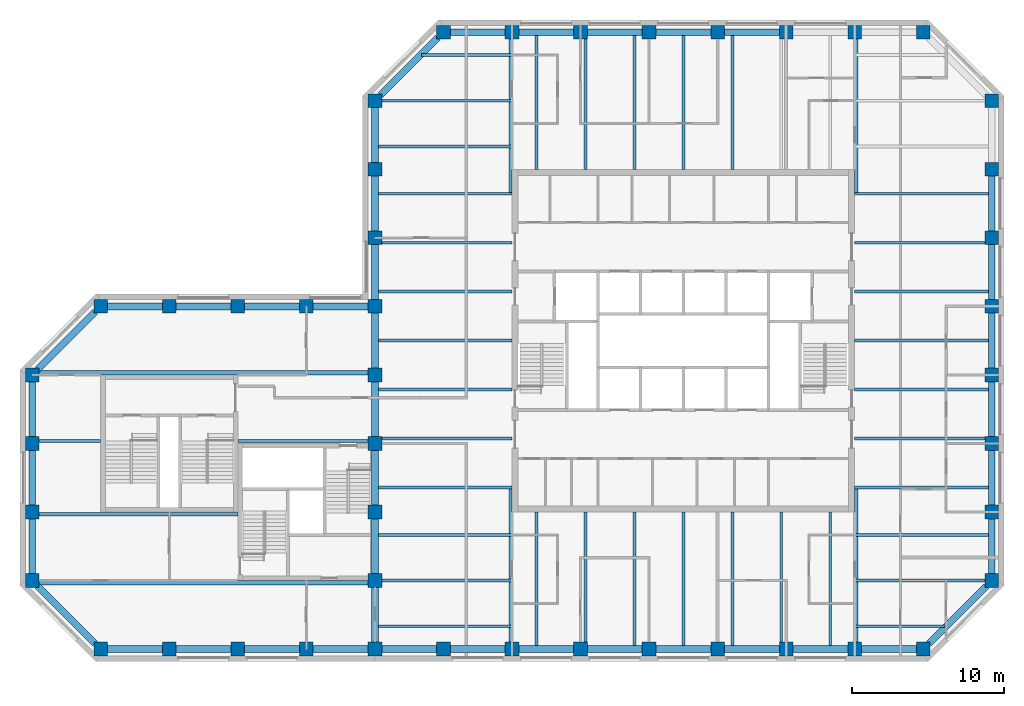
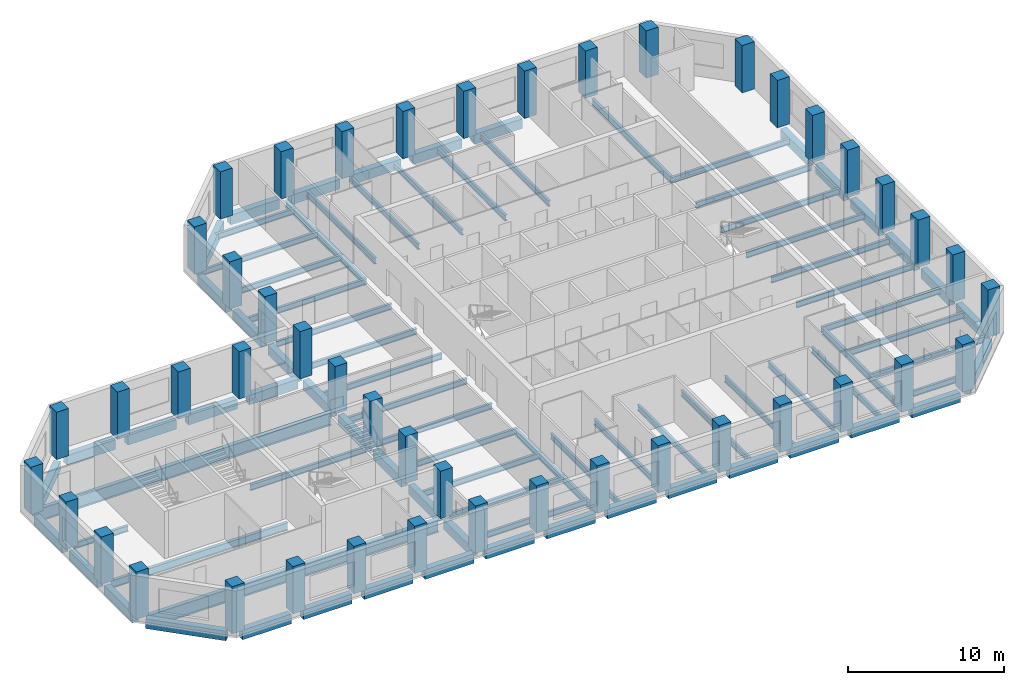
# One storey, part 1 of 9: 86 beams, 45 columns.
"""IFC4 building model written with IfcOpenShell, lengths in metres."""

from ifc_helpers import new_model, si_unit, direction, frame, origin, origin_2d, place, context, subcontext, project, spatial, rectangle, i_section, extrude, material, material_profile, profile_set, type_object, element, save


model = new_model("IFC4")

# Units and contexts
model_context = context("Model", 3, precision=1e-05, world=origin(), true_north=direction((0.0, 1.0)))
body_context = subcontext(model_context, "Body", "Model", "MODEL_VIEW")
ifc_project = project(units=[si_unit("LENGTHUNIT", "METRE"), si_unit("AREAUNIT", "SQUARE_METRE"), si_unit("VOLUMEUNIT", "CUBIC_METRE"), si_unit("PLANEANGLEUNIT", "RADIAN"), si_unit("MASSUNIT", "GRAM", prefix="KILO")], contexts=[model_context])

# Site, building, storey
site_placement = place(None, origin())
site = spatial("IfcSite", under=ifc_project, at=site_placement, CompositionType="ELEMENT")
building_placement = place(site_placement, origin())
building = spatial("IfcBuilding", under=site, at=building_placement, Name="Quoin Convention Tower", CompositionType="ELEMENT")
storey_placement = place(building_placement, frame((0.0, 0.0, 166.199951171875)))
storey = spatial("IfcBuildingStorey", under=building, at=storey_placement, Name="L43", CompositionType="ELEMENT", Elevation=166.199951171875)

# Columns
ifc_material_1 = material(Name="Concrete C50", Category="concrete")
ifc_material_profile_1 = material_profile(ifc_material_1, rectangle(XDim=0.89990234375, YDim=0.89990234375, at=origin_2d()), Name="RC 900x900")
ifc_profile_set_1 = profile_set([ifc_material_profile_1], Name="Concrete C50")
column_type = type_object("IfcColumnType", Name="RC 900x900 C50", PredefinedType="COLUMN", material=ifc_profile_set_1)
for number, where, z_axis, x_axis, name in (
    (1, (18.0, 40.5, 0.0), (0.0, 0.0, 1.0), (1.0, 0.0, 0.0), "col-L43-18000_40500"),
    (2, (22.5, 40.5, 0.0), (0.0, 0.0, 1.0), (1.0, 0.0, 0.0), "col-L43-22500_40500"),
    (3, (27.0, 40.5, 0.0), (0.0, 0.0, 1.0), (1.0, 0.0, 0.0), "col-L43-27000_40500"),
    (4, (31.5, 40.5, 0.0), (0.0, 0.0, 1.0), (1.0, 0.0, 0.0), "col-L43-31500_40500"),
    (5, (36.0, 40.5, 0.0), (0.0, 0.0, 1.0), (1.0, 0.0, 0.0), "col-L43-36000_40500"),
    (6, (40.5, 40.5, 0.0), (0.0, 0.0, 1.0), (1.0, 0.0, 0.0), "col-L43-40500_40500"),
    (7, (45.0, 40.5, 0.0), (0.0, 0.0, 1.0), (1.0, 0.0, 0.0), "col-L43-45000_40500"),
    (8, (49.5, 40.5, 0.0), (0.0, 0.0, 1.0), (1.0, 0.0, 0.0), "col-L43-49500_40500"),
    (9, (54.0, 40.5, 0.0), (0.0, 0.0, 1.0), (1.0, 0.0, 0.0), "col-L43-54000_40500"),
    (10, (58.5, 40.5, 0.0), (0.0, 0.0, 1.0), (1.0, 0.0, 0.0), "col-L43-58500_40500"),
    (11, (63.0, 40.5, 0.0), (0.0, 0.0, 1.0), (1.0, 0.0, 0.0), "col-L43-63000_40500"),
    (12, (67.5, 40.5, 0.0), (0.0, 0.0, 1.0), (1.0, 0.0, 0.0), "col-L43-67500_40500"),
    (13, (72.0, 40.5, 0.0), (0.0, 0.0, 1.0), (1.0, 0.0, 0.0), "col-L43-72000_40500"),
    (14, (13.5, 45.0, 0.0), (0.0, 0.0, 1.0), (1.0, 0.0, 0.0), "col-L43-13500_45000"),
    (15, (36.0, 45.0, 0.0), (0.0, 0.0, 1.0), (1.0, 0.0, 0.0), "web-L43-36000_45000"),
    (16, (76.5, 45.0, 0.0), (0.0, 0.0, 1.0), (1.0, 0.0, 0.0), "col-L43-76500_45000"),
    (17, (13.5, 49.5, 0.0), (0.0, 0.0, 1.0), (1.0, 0.0, 0.0), "col-L43-13500_49500"),
    (18, (36.0, 49.5, 0.0), (0.0, 0.0, 1.0), (1.0, 0.0, 0.0), "web-L43-36000_49500"),
    (19, (76.5, 49.5, 0.0), (0.0, 0.0, 1.0), (1.0, 0.0, 0.0), "col-L43-76500_49500"),
    (20, (13.5, 54.0, 0.0), (0.0, 0.0, 1.0), (1.0, 0.0, 0.0), "col-L43-13500_54000"),
    (21, (36.0, 54.0, 0.0), (0.0, 0.0, 1.0), (1.0, 0.0, 0.0), "web-L43-36000_54000"),
    (22, (76.5, 54.0, 0.0), (0.0, 0.0, 1.0), (1.0, 0.0, 0.0), "col-L43-76500_54000"),
    (23, (13.5, 58.5, 0.0), (0.0, 0.0, 1.0), (1.0, 0.0, 0.0), "col-L43-13500_58500"),
    (24, (36.0, 58.5, 0.0), (0.0, 0.0, 1.0), (1.0, 0.0, 0.0), "web-L43-36000_58500"),
    (25, (76.5, 58.5, 0.0), (0.0, 0.0, 1.0), (1.0, 0.0, 0.0), "col-L43-76500_58500"),
    (26, (18.0, 63.0, 0.0), (0.0, 0.0, 1.0), (1.0, 0.0, 0.0), "col-L43-18000_63000"),
    (27, (22.5, 63.0, 0.0), (0.0, 0.0, 1.0), (1.0, 0.0, 0.0), "col-L43-22500_63000"),
    (28, (27.0, 63.0, 0.0), (0.0, 0.0, 1.0), (1.0, 0.0, 0.0), "col-L43-27000_63000"),
    (29, (31.5, 63.0, 0.0), (0.0, 0.0, 1.0), (1.0, 0.0, 0.0), "col-L43-31500_63000"),
    (30, (36.0, 63.0, 0.0), (0.0, 0.0, 1.0), (1.0, 0.0, 0.0), "col-L43-36000_63000"),
    (31, (76.5, 63.0, 0.0), (0.0, 0.0, 1.0), (1.0, 0.0, 0.0), "col-L43-76500_63000"),
    (32, (36.0, 67.5, 0.0), (0.0, 0.0, 1.0), (1.0, 0.0, 0.0), "col-L43-36000_67500"),
    (33, (76.5, 67.5, 0.0), (0.0, 0.0, 1.0), (1.0, 0.0, 0.0), "col-L43-76500_67500"),
    (34, (36.0, 72.0, 0.0), (0.0, 0.0, 1.0), (1.0, 0.0, 0.0), "col-L43-36000_72000"),
    (35, (76.5, 72.0, 0.0), (0.0, 0.0, 1.0), (1.0, 0.0, 0.0), "col-L43-76500_72000"),
    (36, (36.0, 76.5, 0.0), (0.0, 0.0, 1.0), (1.0, 0.0, 0.0), "col-L43-36000_76500"),
    (37, (76.5, 76.5, 0.0), (0.0, 0.0, 1.0), (1.0, 0.0, 0.0), "col-L43-76500_76500"),
    (38, (40.5, 81.0, 0.0), (0.0, 0.0, 1.0), (1.0, 0.0, 0.0), "col-L43-40500_81000"),
    (39, (45.0, 81.0, 0.0), (0.0, 0.0, 1.0), (1.0, 0.0, 0.0), "col-L43-45000_81000"),
    (40, (49.5, 81.0, 0.0), (0.0, 0.0, 1.0), (1.0, 0.0, 0.0), "col-L43-49500_81000"),
    (41, (54.0, 81.0, 0.0), (0.0, 0.0, 1.0), (1.0, 0.0, 0.0), "col-L43-54000_81000"),
    (42, (58.5, 81.0, 0.0), (0.0, 0.0, 1.0), (1.0, 0.0, 0.0), "col-L43-58500_81000"),
    (43, (63.0, 81.0, 0.0), (0.0, 0.0, 1.0), (1.0, 0.0, 0.0), "col-L43-63000_81000"),
    (44, (67.5, 81.0, 0.0), (0.0, 0.0, 1.0), (1.0, 0.0, 0.0), "col-L43-67500_81000"),
    (45, (72.0, 81.0, 0.0), (0.0, 0.0, 1.0), (1.0, 0.0, 0.0), "col-L43-72000_81000"),
):
    element("IfcColumn", number, at=place(storey_placement, frame(where, z_axis=z_axis, x_axis=x_axis)), inside=storey, type_object=column_type, Name=name, PredefinedType="COLUMN", context=body_context, shape_type="SweptSolid", body=[
        extrude(rectangle(XDim=0.89990234375, YDim=0.89990234375, at=origin_2d()), origin(), (0.0, 0.0, 1.0), 3.699951171875),
    ])

# Beams
ifc_material_2 = material(Name="Steel Grade 300", Category="steel")
ifc_material_profile_2 = material_profile(ifc_material_2, i_section(OverallWidth=0.300048828125, OverallDepth=1.0, WebThickness=0.01611328125, FlangeThickness=0.02001953125, at=origin_2d()), Name="1000WB215")
ifc_profile_set_2 = profile_set([ifc_material_profile_2], Name="Steel Grade 300")
beam_type_1 = type_object("IfcBeamType", Name="1000WB215", PredefinedType="BEAM", material=ifc_profile_set_2)
for number, where, z_axis, x_axis, name in (
    (46, (13.949951171875, 44.85009765625, -0.64990234375), (1.0, 0.0, 0.0), (0.0, 1.0, 0.0), "gir-L43-ST2-1-0"),
    (47, (13.949951171875, 58.64990234375, -0.64990234375), (1.0, 0.0, 0.0), (0.0, 1.0, 0.0), "gir-L43-ST2-4-0"),
):
    element("IfcBeam", number, at=place(storey_placement, frame(where, z_axis=z_axis, x_axis=x_axis)), inside=storey, type_object=beam_type_1, Name=name, PredefinedType="BEAM", context=body_context, shape_type="SweptSolid", body=[
        extrude(i_section(OverallWidth=0.300048828125, OverallDepth=1.0, WebThickness=0.01611328125, FlangeThickness=0.02001953125, at=origin_2d()), origin(), (0.0, 0.0, 1.0), 21.60009765625),
    ])
ifc_material_profile_3 = material_profile(ifc_material_2, i_section(OverallWidth=0.18994140625, OverallDepth=0.4541015625, WebThickness=0.008544921875, FlangeThickness=0.0126953125, FilletRadius=0.011474609375, at=origin_2d()), Name="460UB67.1")
ifc_profile_set_3 = profile_set([ifc_material_profile_3], Name="Steel Grade 300")
beam_type_2 = type_object("IfcBeamType", Name="460UB67.1", PredefinedType="BEAM", material=ifc_profile_set_3)
beam_1_placement = place(storey_placement, frame((36.22509765625, 51.107177734375, -0.376953125), z_axis=(1.0, 0.0, 0.0), x_axis=(0.0, 1.0, 0.0)))
element("IfcBeam", 48, at=beam_1_placement, inside=storey, type_object=beam_type_2, Name="bm-L43-T1W0", PredefinedType="BEAM", context=body_context, shape_type="SweptSolid", body=[
    extrude(i_section(OverallWidth=0.18994140625, OverallDepth=0.4541015625, WebThickness=0.008544921875, FlangeThickness=0.0126953125, FilletRadius=0.011474609375, at=origin_2d()), origin(), (0.0, 0.0, 1.0), 8.77490234375),
])
beam_2_placement = place(storey_placement, frame((36.449951171875, 54.3212890625, -0.376953125), z_axis=(1.0, 0.0, 0.0), x_axis=(0.0, 1.0, 0.0)))
element("IfcBeam", 49, at=beam_2_placement, inside=storey, type_object=beam_type_2, Name="bm-L43-T1W1", PredefinedType="BEAM", context=body_context, shape_type="SweptSolid", body=[
    extrude(i_section(OverallWidth=0.18994140625, OverallDepth=0.4541015625, WebThickness=0.008544921875, FlangeThickness=0.0126953125, FilletRadius=0.011474609375, at=origin_2d()), origin(), (0.0, 0.0, 1.0), 8.550048828125),
])
for number, where, z_axis, x_axis, name in (
    (50, (36.22509765625, 57.53564453125, -0.376953125), (1.0, 0.0, 0.0), (0.0, 1.0, 0.0), "bm-L43-T1W2"),
    (51, (36.22509765625, 60.75, -0.376953125), (1.0, 0.0, 0.0), (0.0, 1.0, 0.0), "bm-L43-T1W3"),
    (52, (36.22509765625, 63.96435546875, -0.376953125), (1.0, 0.0, 0.0), (0.0, 1.0, 0.0), "bm-L43-T1W4"),
):
    element("IfcBeam", number, at=place(storey_placement, frame(where, z_axis=z_axis, x_axis=x_axis)), inside=storey, type_object=beam_type_2, Name=name, PredefinedType="BEAM", context=body_context, shape_type="SweptSolid", body=[
        extrude(i_section(OverallWidth=0.18994140625, OverallDepth=0.4541015625, WebThickness=0.008544921875, FlangeThickness=0.0126953125, FilletRadius=0.011474609375, at=origin_2d()), origin(), (0.0, 0.0, 1.0), 8.77490234375),
    ])
beam_3_placement = place(storey_placement, frame((36.449951171875, 67.1787109375, -0.376953125), z_axis=(1.0, 0.0, 0.0), x_axis=(0.0, 1.0, 0.0)))
element("IfcBeam", 53, at=beam_3_placement, inside=storey, type_object=beam_type_2, Name="bm-L43-T1W5", PredefinedType="BEAM", context=body_context, shape_type="SweptSolid", body=[
    extrude(i_section(OverallWidth=0.18994140625, OverallDepth=0.4541015625, WebThickness=0.008544921875, FlangeThickness=0.0126953125, FilletRadius=0.011474609375, at=origin_2d()), origin(), (0.0, 0.0, 1.0), 8.550048828125),
])
for number, where, z_axis, x_axis, name in (
    (54, (36.22509765625, 70.392822265625, -0.376953125), (1.0, 0.0, 0.0), (0.0, 1.0, 0.0), "bm-L43-T1W6"),
    (55, (67.5, 51.107177734375, -0.376953125), (1.0, 0.0, 0.0), (0.0, 1.0, 0.0), "bm-L43-T1E0"),
):
    element("IfcBeam", number, at=place(storey_placement, frame(where, z_axis=z_axis, x_axis=x_axis)), inside=storey, type_object=beam_type_2, Name=name, PredefinedType="BEAM", context=body_context, shape_type="SweptSolid", body=[
        extrude(i_section(OverallWidth=0.18994140625, OverallDepth=0.4541015625, WebThickness=0.008544921875, FlangeThickness=0.0126953125, FilletRadius=0.011474609375, at=origin_2d()), origin(), (0.0, 0.0, 1.0), 8.77490234375),
    ])
beam_4_placement = place(storey_placement, frame((67.5, 54.3212890625, -0.376953125), z_axis=(1.0, 0.0, 0.0), x_axis=(0.0, 1.0, 0.0)))
element("IfcBeam", 56, at=beam_4_placement, inside=storey, type_object=beam_type_2, Name="bm-L43-T1E1", PredefinedType="BEAM", context=body_context, shape_type="SweptSolid", body=[
    extrude(i_section(OverallWidth=0.18994140625, OverallDepth=0.4541015625, WebThickness=0.008544921875, FlangeThickness=0.0126953125, FilletRadius=0.011474609375, at=origin_2d()), origin(), (0.0, 0.0, 1.0), 8.550048828125),
])
for number, where, z_axis, x_axis, name in (
    (57, (67.5, 57.53564453125, -0.376953125), (1.0, 0.0, 0.0), (0.0, 1.0, 0.0), "bm-L43-T1E2"),
    (58, (67.5, 60.75, -0.376953125), (1.0, 0.0, 0.0), (0.0, 1.0, 0.0), "bm-L43-T1E3"),
    (59, (67.5, 63.96435546875, -0.376953125), (1.0, 0.0, 0.0), (0.0, 1.0, 0.0), "bm-L43-T1E4"),
):
    element("IfcBeam", number, at=place(storey_placement, frame(where, z_axis=z_axis, x_axis=x_axis)), inside=storey, type_object=beam_type_2, Name=name, PredefinedType="BEAM", context=body_context, shape_type="SweptSolid", body=[
        extrude(i_section(OverallWidth=0.18994140625, OverallDepth=0.4541015625, WebThickness=0.008544921875, FlangeThickness=0.0126953125, FilletRadius=0.011474609375, at=origin_2d()), origin(), (0.0, 0.0, 1.0), 8.77490234375),
    ])
beam_5_placement = place(storey_placement, frame((67.5, 67.1787109375, -0.376953125), z_axis=(1.0, 0.0, 0.0), x_axis=(0.0, 1.0, 0.0)))
element("IfcBeam", 60, at=beam_5_placement, inside=storey, type_object=beam_type_2, Name="bm-L43-T1E5", PredefinedType="BEAM", context=body_context, shape_type="SweptSolid", body=[
    extrude(i_section(OverallWidth=0.18994140625, OverallDepth=0.4541015625, WebThickness=0.008544921875, FlangeThickness=0.0126953125, FilletRadius=0.011474609375, at=origin_2d()), origin(), (0.0, 0.0, 1.0), 8.550048828125),
])
for number, where, z_axis, x_axis, name in (
    (61, (67.5, 70.392822265625, -0.376953125), (1.0, 0.0, 0.0), (0.0, 1.0, 0.0), "bm-L43-T1E6"),
    (62, (46.607177734375, 40.72509765625, -0.376953125), (0.0, 1.0, 0.0), (-1.0, 0.0, 0.0), "bm-L43-T1S0"),
):
    element("IfcBeam", number, at=place(storey_placement, frame(where, z_axis=z_axis, x_axis=x_axis)), inside=storey, type_object=beam_type_2, Name=name, PredefinedType="BEAM", context=body_context, shape_type="SweptSolid", body=[
        extrude(i_section(OverallWidth=0.18994140625, OverallDepth=0.4541015625, WebThickness=0.008544921875, FlangeThickness=0.0126953125, FilletRadius=0.011474609375, at=origin_2d()), origin(), (0.0, 0.0, 1.0), 8.77490234375),
    ])
beam_6_placement = place(storey_placement, frame((49.8212890625, 40.949951171875, -0.376953125), z_axis=(0.0, 1.0, 0.0), x_axis=(-1.0, 0.0, 0.0)))
element("IfcBeam", 63, at=beam_6_placement, inside=storey, type_object=beam_type_2, Name="bm-L43-T1S1", PredefinedType="BEAM", context=body_context, shape_type="SweptSolid", body=[
    extrude(i_section(OverallWidth=0.18994140625, OverallDepth=0.4541015625, WebThickness=0.008544921875, FlangeThickness=0.0126953125, FilletRadius=0.011474609375, at=origin_2d()), origin(), (0.0, 0.0, 1.0), 8.550048828125),
])
for number, where, z_axis, x_axis, name in (
    (64, (53.03564453125, 40.72509765625, -0.376953125), (0.0, 1.0, 0.0), (-1.0, 0.0, 0.0), "bm-L43-T1S2"),
    (65, (56.25, 40.72509765625, -0.376953125), (0.0, 1.0, 0.0), (-1.0, 0.0, 0.0), "bm-L43-T1S3"),
    (66, (59.46435546875, 40.72509765625, -0.376953125), (0.0, 1.0, 0.0), (-1.0, 0.0, 0.0), "bm-L43-T1S4"),
):
    element("IfcBeam", number, at=place(storey_placement, frame(where, z_axis=z_axis, x_axis=x_axis)), inside=storey, type_object=beam_type_2, Name=name, PredefinedType="BEAM", context=body_context, shape_type="SweptSolid", body=[
        extrude(i_section(OverallWidth=0.18994140625, OverallDepth=0.4541015625, WebThickness=0.008544921875, FlangeThickness=0.0126953125, FilletRadius=0.011474609375, at=origin_2d()), origin(), (0.0, 0.0, 1.0), 8.77490234375),
    ])
beam_7_placement = place(storey_placement, frame((62.6787109375, 40.949951171875, -0.376953125), z_axis=(0.0, 1.0, 0.0), x_axis=(-1.0, 0.0, 0.0)))
element("IfcBeam", 67, at=beam_7_placement, inside=storey, type_object=beam_type_2, Name="bm-L43-T1S5", PredefinedType="BEAM", context=body_context, shape_type="SweptSolid", body=[
    extrude(i_section(OverallWidth=0.18994140625, OverallDepth=0.4541015625, WebThickness=0.008544921875, FlangeThickness=0.0126953125, FilletRadius=0.011474609375, at=origin_2d()), origin(), (0.0, 0.0, 1.0), 8.550048828125),
])
for number, where, z_axis, x_axis, name in (
    (68, (65.892822265625, 40.72509765625, -0.376953125), (0.0, 1.0, 0.0), (-1.0, 0.0, 0.0), "bm-L43-T1S6"),
    (69, (46.607177734375, 72.0, -0.376953125), (0.0, 1.0, 0.0), (-1.0, 0.0, 0.0), "bm-L43-T1N0"),
):
    element("IfcBeam", number, at=place(storey_placement, frame(where, z_axis=z_axis, x_axis=x_axis)), inside=storey, type_object=beam_type_2, Name=name, PredefinedType="BEAM", context=body_context, shape_type="SweptSolid", body=[
        extrude(i_section(OverallWidth=0.18994140625, OverallDepth=0.4541015625, WebThickness=0.008544921875, FlangeThickness=0.0126953125, FilletRadius=0.011474609375, at=origin_2d()), origin(), (0.0, 0.0, 1.0), 8.77490234375),
    ])
beam_8_placement = place(storey_placement, frame((49.8212890625, 72.0, -0.376953125), z_axis=(0.0, 1.0, 0.0), x_axis=(-1.0, 0.0, 0.0)))
element("IfcBeam", 70, at=beam_8_placement, inside=storey, type_object=beam_type_2, Name="bm-L43-T1N1", PredefinedType="BEAM", context=body_context, shape_type="SweptSolid", body=[
    extrude(i_section(OverallWidth=0.18994140625, OverallDepth=0.4541015625, WebThickness=0.008544921875, FlangeThickness=0.0126953125, FilletRadius=0.011474609375, at=origin_2d()), origin(), (0.0, 0.0, 1.0), 8.550048828125),
])
for number, where, z_axis, x_axis, name in (
    (71, (53.03564453125, 72.0, -0.376953125), (0.0, 1.0, 0.0), (-1.0, 0.0, 0.0), "bm-L43-T1N2"),
    (72, (56.25, 72.0, -0.376953125), (0.0, 1.0, 0.0), (-1.0, 0.0, 0.0), "bm-L43-T1N3"),
    (73, (59.46435546875, 72.0, -0.376953125), (0.0, 1.0, 0.0), (-1.0, 0.0, 0.0), "bm-L43-T1N4"),
    (74, (36.22509765625, 42.0, -0.376953125), (1.0, 0.0, 0.0), (0.0, 1.0, 0.0), "bm-L43-T1SW0"),
):
    element("IfcBeam", number, at=place(storey_placement, frame(where, z_axis=z_axis, x_axis=x_axis)), inside=storey, type_object=beam_type_2, Name=name, PredefinedType="BEAM", context=body_context, shape_type="SweptSolid", body=[
        extrude(i_section(OverallWidth=0.18994140625, OverallDepth=0.4541015625, WebThickness=0.008544921875, FlangeThickness=0.0126953125, FilletRadius=0.011474609375, at=origin_2d()), origin(), (0.0, 0.0, 1.0), 8.77490234375),
    ])
beam_9_placement = place(storey_placement, frame((36.449951171875, 45.0, -0.376953125), z_axis=(1.0, 0.0, 0.0), x_axis=(0.0, 1.0, 0.0)))
element("IfcBeam", 75, at=beam_9_placement, inside=storey, type_object=beam_type_2, Name="bm-L43-T1SW1", PredefinedType="BEAM", context=body_context, shape_type="SweptSolid", body=[
    extrude(i_section(OverallWidth=0.18994140625, OverallDepth=0.4541015625, WebThickness=0.008544921875, FlangeThickness=0.0126953125, FilletRadius=0.011474609375, at=origin_2d()), origin(), (0.0, 0.0, 1.0), 8.550048828125),
])
beam_10_placement = place(storey_placement, frame((36.22509765625, 48.0, -0.376953125), z_axis=(1.0, 0.0, 0.0), x_axis=(0.0, 1.0, 0.0)))
element("IfcBeam", 76, at=beam_10_placement, inside=storey, type_object=beam_type_2, Name="bm-L43-T1SW2", PredefinedType="BEAM", context=body_context, shape_type="SweptSolid", body=[
    extrude(i_section(OverallWidth=0.18994140625, OverallDepth=0.4541015625, WebThickness=0.008544921875, FlangeThickness=0.0126953125, FilletRadius=0.011474609375, at=origin_2d()), origin(), (0.0, 0.0, 1.0), 8.77490234375),
])
beam_11_placement = place(storey_placement, frame((67.5, 42.0, -0.376953125), z_axis=(1.0, 0.0, 0.0), x_axis=(0.0, 1.0, 0.0)))
element("IfcBeam", 77, at=beam_11_placement, inside=storey, type_object=beam_type_2, Name="bm-L43-T1SE0", PredefinedType="BEAM", context=body_context, shape_type="SweptSolid", body=[
    extrude(i_section(OverallWidth=0.18994140625, OverallDepth=0.4541015625, WebThickness=0.008544921875, FlangeThickness=0.0126953125, FilletRadius=0.011474609375, at=origin_2d()), origin(), (0.0, 0.0, 1.0), 5.935791015625),
])
beam_12_placement = place(storey_placement, frame((67.5, 45.0, -0.376953125), z_axis=(1.0, 0.0, 0.0), x_axis=(0.0, 1.0, 0.0)))
element("IfcBeam", 78, at=beam_12_placement, inside=storey, type_object=beam_type_2, Name="bm-L43-T1SE1", PredefinedType="BEAM", context=body_context, shape_type="SweptSolid", body=[
    extrude(i_section(OverallWidth=0.18994140625, OverallDepth=0.4541015625, WebThickness=0.008544921875, FlangeThickness=0.0126953125, FilletRadius=0.011474609375, at=origin_2d()), origin(), (0.0, 0.0, 1.0), 8.550048828125),
])
beam_13_placement = place(storey_placement, frame((67.5, 48.0, -0.376953125), z_axis=(1.0, 0.0, 0.0), x_axis=(0.0, 1.0, 0.0)))
element("IfcBeam", 79, at=beam_13_placement, inside=storey, type_object=beam_type_2, Name="bm-L43-T1SE2", PredefinedType="BEAM", context=body_context, shape_type="SweptSolid", body=[
    extrude(i_section(OverallWidth=0.18994140625, OverallDepth=0.4541015625, WebThickness=0.008544921875, FlangeThickness=0.0126953125, FilletRadius=0.011474609375, at=origin_2d()), origin(), (0.0, 0.0, 1.0), 8.77490234375),
])
beam_14_placement = place(storey_placement, frame((39.064208984375, 79.5, -0.376953125), z_axis=(1.0, 0.0, 0.0), x_axis=(0.0, 1.0, 0.0)))
element("IfcBeam", 80, at=beam_14_placement, inside=storey, type_object=beam_type_2, Name="bm-L43-T1NW0", PredefinedType="BEAM", context=body_context, shape_type="SweptSolid", body=[
    extrude(i_section(OverallWidth=0.18994140625, OverallDepth=0.4541015625, WebThickness=0.008544921875, FlangeThickness=0.0126953125, FilletRadius=0.011474609375, at=origin_2d()), origin(), (0.0, 0.0, 1.0), 5.935791015625),
])
beam_15_placement = place(storey_placement, frame((36.449951171875, 76.5, -0.376953125), z_axis=(1.0, 0.0, 0.0), x_axis=(0.0, 1.0, 0.0)))
element("IfcBeam", 81, at=beam_15_placement, inside=storey, type_object=beam_type_2, Name="bm-L43-T1NW1", PredefinedType="BEAM", context=body_context, shape_type="SweptSolid", body=[
    extrude(i_section(OverallWidth=0.18994140625, OverallDepth=0.4541015625, WebThickness=0.008544921875, FlangeThickness=0.0126953125, FilletRadius=0.011474609375, at=origin_2d()), origin(), (0.0, 0.0, 1.0), 8.550048828125),
])
beam_16_placement = place(storey_placement, frame((36.22509765625, 73.5, -0.376953125), z_axis=(1.0, 0.0, 0.0), x_axis=(0.0, 1.0, 0.0)))
element("IfcBeam", 82, at=beam_16_placement, inside=storey, type_object=beam_type_2, Name="bm-L43-T1NW2", PredefinedType="BEAM", context=body_context, shape_type="SweptSolid", body=[
    extrude(i_section(OverallWidth=0.18994140625, OverallDepth=0.4541015625, WebThickness=0.008544921875, FlangeThickness=0.0126953125, FilletRadius=0.011474609375, at=origin_2d()), origin(), (0.0, 0.0, 1.0), 8.77490234375),
])
beam_17_placement = place(storey_placement, frame((13.949951171875, 54.14990234375, -0.376953125), z_axis=(1.0, 0.0, 0.0), x_axis=(0.0, 1.0, 0.0)))
element("IfcBeam", 83, at=beam_17_placement, inside=storey, type_object=beam_type_2, Name="gir-L43-ST2-3-0", PredefinedType="BEAM", context=body_context, shape_type="SweptSolid", body=[
    extrude(i_section(OverallWidth=0.18994140625, OverallDepth=0.4541015625, WebThickness=0.008544921875, FlangeThickness=0.0126953125, FilletRadius=0.011474609375, at=origin_2d()), origin(), (0.0, 0.0, 1.0), 4.050048828125),
])
beam_18_placement = place(storey_placement, frame((27.0, 54.14990234375, -0.376953125), z_axis=(1.0, 0.0, 0.0), x_axis=(0.0, 1.0, 0.0)))
element("IfcBeam", 84, at=beam_18_placement, inside=storey, type_object=beam_type_2, Name="gir-L43-ST2-3-1", PredefinedType="BEAM", context=body_context, shape_type="SweptSolid", body=[
    extrude(i_section(OverallWidth=0.18994140625, OverallDepth=0.4541015625, WebThickness=0.008544921875, FlangeThickness=0.0126953125, FilletRadius=0.011474609375, at=origin_2d()), origin(), (0.0, 0.0, 1.0), 8.550048828125),
])
ifc_material_profile_4 = material_profile(ifc_material_2, i_section(OverallWidth=0.208984375, OverallDepth=0.528076171875, WebThickness=0.009521484375, FlangeThickness=0.01318359375, FilletRadius=0.013916015625, at=origin_2d()), Name="530UB82.0")
ifc_profile_set_4 = profile_set([ifc_material_profile_4], Name="Steel Grade 300")
beam_type_3 = type_object("IfcBeamType", Name="530UB82.0", PredefinedType="BEAM", material=ifc_profile_set_4)
for number, where, z_axis, x_axis, name in (
    (85, (44.904541015625, 40.949951171875, -0.4140625), (0.0, 1.0, 0.0), (-1.0, 0.0, 0.0), "gir-L43-T1SW"),
    (86, (67.595458984375, 40.949951171875, -0.4140625), (0.0, 1.0, 0.0), (-1.0, 0.0, 0.0), "gir-L43-T1SE"),
    (87, (44.904541015625, 80.550048828125, -0.4140625), (0.0, -1.0, 0.0), (1.0, 0.0, 0.0), "gir-L43-T1NW"),
    (88, (67.595458984375, 80.550048828125, -0.4140625), (0.0, -1.0, 0.0), (1.0, 0.0, 0.0), "gir-L43-T1NE"),
):
    element("IfcBeam", number, at=place(storey_placement, frame(where, z_axis=z_axis, x_axis=x_axis)), inside=storey, type_object=beam_type_3, Name=name, PredefinedType="BEAM", context=body_context, shape_type="SweptSolid", body=[
        extrude(i_section(OverallWidth=0.208984375, OverallDepth=0.528076171875, WebThickness=0.009521484375, FlangeThickness=0.01318359375, FilletRadius=0.013916015625, at=origin_2d()), origin(), (0.0, 0.0, 1.0), 10.062255859375),
    ])
ifc_material_profile_5 = material_profile(ifc_material_2, i_section(OverallWidth=0.22802734375, OverallDepth=0.60205078125, WebThickness=0.010498046875, FlangeThickness=0.014892578125, FilletRadius=0.013916015625, at=origin_2d()), Name="610UB101")
ifc_profile_set_5 = profile_set([ifc_material_profile_5], Name="Steel Grade 300")
beam_type_4 = type_object("IfcBeamType", Name="610UB101", PredefinedType="BEAM", material=ifc_profile_set_5)
beam_19_placement = place(storey_placement, frame((13.949951171875, 49.35009765625, -0.450927734375), z_axis=(1.0, 0.0, 0.0), x_axis=(0.0, 1.0, 0.0)))
element("IfcBeam", 89, at=beam_19_placement, inside=storey, type_object=beam_type_4, Name="gir-L43-ST2-2-0", PredefinedType="BEAM", context=body_context, shape_type="SweptSolid", body=[
    extrude(i_section(OverallWidth=0.22802734375, OverallDepth=0.60205078125, WebThickness=0.010498046875, FlangeThickness=0.014892578125, FilletRadius=0.013916015625, at=origin_2d()), origin(), (0.0, 0.0, 1.0), 13.050048828125),
])
ifc_material_profile_6 = material_profile(ifc_material_1, rectangle(XDim=0.449951171875, YDim=0.75, at=origin_2d()), Name="RC 450x750")
ifc_profile_set_6 = profile_set([ifc_material_profile_6], Name="Concrete C50")
beam_type_5 = type_object("IfcBeamType", Name="RC 450x750 C50", PredefinedType="SPANDREL", material=ifc_profile_set_6)
for number, where, z_axis, x_axis, name in (
    (90, (36.449951171875, 40.5, -0.52490234375), (1.0, 0.0, 0.0), (0.0, 1.0, 0.0), "spd-L43-36000_40500-40500_40500"),
    (91, (40.949951171875, 40.5, -0.52490234375), (1.0, 0.0, 0.0), (0.0, 1.0, 0.0), "spd-L43-40500_40500-45000_40500"),
    (92, (45.449951171875, 40.5, -0.52490234375), (1.0, 0.0, 0.0), (0.0, 1.0, 0.0), "spd-L43-45000_40500-49500_40500"),
    (93, (49.949951171875, 40.5, -0.52490234375), (1.0, 0.0, 0.0), (0.0, 1.0, 0.0), "spd-L43-49500_40500-54000_40500"),
    (94, (54.449951171875, 40.5, -0.52490234375), (1.0, 0.0, 0.0), (0.0, 1.0, 0.0), "spd-L43-54000_40500-58500_40500"),
    (95, (58.949951171875, 40.5, -0.52490234375), (1.0, 0.0, 0.0), (0.0, 1.0, 0.0), "spd-L43-58500_40500-63000_40500"),
    (96, (63.449951171875, 40.5, -0.52490234375), (1.0, 0.0, 0.0), (0.0, 1.0, 0.0), "spd-L43-63000_40500-67500_40500"),
    (97, (67.949951171875, 40.5, -0.52490234375), (1.0, 0.0, 0.0), (0.0, 1.0, 0.0), "spd-L43-67500_40500-72000_40500"),
):
    element("IfcBeam", number, at=place(storey_placement, frame(where, z_axis=z_axis, x_axis=x_axis)), inside=storey, type_object=beam_type_5, Name=name, PredefinedType="SPANDREL", context=body_context, shape_type="SweptSolid", body=[
        extrude(rectangle(XDim=0.449951171875, YDim=0.75, at=origin_2d()), origin(), (0.0, 0.0, 1.0), 3.60009765625),
    ])
beam_20_placement = place(storey_placement, frame((72.364990234375, 40.864990234375, -0.52490234375), z_axis=(0.707106781187, 0.707106781187, 0.0), x_axis=(-0.707106781187, 0.707106781187, 0.0)))
element("IfcBeam", 98, at=beam_20_placement, inside=storey, type_object=beam_type_5, Name="spd-L43-72000_40500-76500_45000", PredefinedType="SPANDREL", context=body_context, shape_type="SweptSolid", body=[
    extrude(rectangle(XDim=0.449951171875, YDim=0.75, at=origin_2d()), origin(), (0.0, 0.0, 1.0), 5.33154296875),
])
for number, where, z_axis, x_axis, name in (
    (99, (76.5, 45.449951171875, -0.52490234375), (0.0, 1.0, 0.0), (-1.0, 0.0, 0.0), "spd-L43-76500_45000-76500_49500"),
    (100, (76.5, 49.949951171875, -0.52490234375), (0.0, 1.0, 0.0), (-1.0, 0.0, 0.0), "spd-L43-76500_49500-76500_54000"),
    (101, (76.5, 54.449951171875, -0.52490234375), (0.0, 1.0, 0.0), (-1.0, 0.0, 0.0), "spd-L43-76500_54000-76500_58500"),
    (102, (76.5, 58.949951171875, -0.52490234375), (0.0, 1.0, 0.0), (-1.0, 0.0, 0.0), "spd-L43-76500_58500-76500_63000"),
    (103, (76.5, 63.449951171875, -0.52490234375), (0.0, 1.0, 0.0), (-1.0, 0.0, 0.0), "spd-L43-76500_63000-76500_67500"),
    (104, (76.5, 67.949951171875, -0.52490234375), (0.0, 1.0, 0.0), (-1.0, 0.0, 0.0), "spd-L43-76500_67500-76500_72000"),
    (105, (62.550048828125, 81.0, -0.52490234375), (-1.0, 0.0, 0.0), (0.0, -1.0, 0.0), "spd-L43-63000_81000-58500_81000"),
    (106, (58.050048828125, 81.0, -0.52490234375), (-1.0, 0.0, 0.0), (0.0, -1.0, 0.0), "spd-L43-58500_81000-54000_81000"),
    (107, (53.550048828125, 81.0, -0.52490234375), (-1.0, 0.0, 0.0), (0.0, -1.0, 0.0), "spd-L43-54000_81000-49500_81000"),
    (108, (49.050048828125, 81.0, -0.52490234375), (-1.0, 0.0, 0.0), (0.0, -1.0, 0.0), "spd-L43-49500_81000-45000_81000"),
    (109, (44.550048828125, 81.0, -0.52490234375), (-1.0, 0.0, 0.0), (0.0, -1.0, 0.0), "spd-L43-45000_81000-40500_81000"),
):
    element("IfcBeam", number, at=place(storey_placement, frame(where, z_axis=z_axis, x_axis=x_axis)), inside=storey, type_object=beam_type_5, Name=name, PredefinedType="SPANDREL", context=body_context, shape_type="SweptSolid", body=[
        extrude(rectangle(XDim=0.449951171875, YDim=0.75, at=origin_2d()), origin(), (0.0, 0.0, 1.0), 3.60009765625),
    ])
beam_21_placement = place(storey_placement, frame((40.135009765625, 80.635009765625, -0.52490234375), z_axis=(-0.707106781187, -0.707106781187, 0.0), x_axis=(0.707106781187, -0.707106781187, 0.0)))
element("IfcBeam", 110, at=beam_21_placement, inside=storey, type_object=beam_type_5, Name="spd-L43-40500_81000-36000_76500", PredefinedType="SPANDREL", context=body_context, shape_type="SweptSolid", body=[
    extrude(rectangle(XDim=0.449951171875, YDim=0.75, at=origin_2d()), origin(), (0.0, 0.0, 1.0), 5.33154296875),
])
for number, where, z_axis, x_axis, name in (
    (111, (36.0, 76.050048828125, -0.52490234375), (0.0, -1.0, 0.0), (1.0, 0.0, 0.0), "spd-L43-36000_76500-36000_72000"),
    (112, (36.0, 71.550048828125, -0.52490234375), (0.0, -1.0, 0.0), (1.0, 0.0, 0.0), "spd-L43-36000_72000-36000_67500"),
    (113, (36.0, 67.050048828125, -0.52490234375), (0.0, -1.0, 0.0), (1.0, 0.0, 0.0), "spd-L43-36000_67500-36000_63000"),
    (114, (35.550048828125, 63.0, -0.52490234375), (-1.0, 0.0, 0.0), (0.0, -1.0, 0.0), "spd-L43-36000_63000-31500_63000"),
    (115, (31.050048828125, 63.0, -0.52490234375), (-1.0, 0.0, 0.0), (0.0, -1.0, 0.0), "spd-L43-31500_63000-27000_63000"),
    (116, (26.550048828125, 63.0, -0.52490234375), (-1.0, 0.0, 0.0), (0.0, -1.0, 0.0), "spd-L43-27000_63000-22500_63000"),
    (117, (22.050048828125, 63.0, -0.52490234375), (-1.0, 0.0, 0.0), (0.0, -1.0, 0.0), "spd-L43-22500_63000-18000_63000"),
):
    element("IfcBeam", number, at=place(storey_placement, frame(where, z_axis=z_axis, x_axis=x_axis)), inside=storey, type_object=beam_type_5, Name=name, PredefinedType="SPANDREL", context=body_context, shape_type="SweptSolid", body=[
        extrude(rectangle(XDim=0.449951171875, YDim=0.75, at=origin_2d()), origin(), (0.0, 0.0, 1.0), 3.60009765625),
    ])
beam_22_placement = place(storey_placement, frame((17.635009765625, 62.635009765625, -0.52490234375), z_axis=(-0.707106781187, -0.707106781187, 0.0), x_axis=(0.707106781187, -0.707106781187, 0.0)))
element("IfcBeam", 118, at=beam_22_placement, inside=storey, type_object=beam_type_5, Name="spd-L43-18000_63000-13500_58500", PredefinedType="SPANDREL", context=body_context, shape_type="SweptSolid", body=[
    extrude(rectangle(XDim=0.449951171875, YDim=0.75, at=origin_2d()), origin(), (0.0, 0.0, 1.0), 5.33154296875),
])
for number, where, z_axis, x_axis, name in (
    (119, (13.5, 58.050048828125, -0.52490234375), (0.0, -1.0, 0.0), (1.0, 0.0, 0.0), "spd-L43-13500_58500-13500_54000"),
    (120, (13.5, 53.550048828125, -0.52490234375), (0.0, -1.0, 0.0), (1.0, 0.0, 0.0), "spd-L43-13500_54000-13500_49500"),
    (121, (13.5, 49.050048828125, -0.52490234375), (0.0, -1.0, 0.0), (1.0, 0.0, 0.0), "spd-L43-13500_49500-13500_45000"),
):
    element("IfcBeam", number, at=place(storey_placement, frame(where, z_axis=z_axis, x_axis=x_axis)), inside=storey, type_object=beam_type_5, Name=name, PredefinedType="SPANDREL", context=body_context, shape_type="SweptSolid", body=[
        extrude(rectangle(XDim=0.449951171875, YDim=0.75, at=origin_2d()), origin(), (0.0, 0.0, 1.0), 3.60009765625),
    ])
beam_23_placement = place(storey_placement, frame((13.864990234375, 44.635009765625, -0.52490234375), z_axis=(0.707106781187, -0.707106781187, 0.0), x_axis=(0.707106781187, 0.707106781187, 0.0)))
element("IfcBeam", 122, at=beam_23_placement, inside=storey, type_object=beam_type_5, Name="spd-L43-13500_45000-18000_40500", PredefinedType="SPANDREL", context=body_context, shape_type="SweptSolid", body=[
    extrude(rectangle(XDim=0.449951171875, YDim=0.75, at=origin_2d()), origin(), (0.0, 0.0, 1.0), 5.33154296875),
])
for number, where, z_axis, x_axis, name in (
    (123, (18.449951171875, 40.5, -0.52490234375), (1.0, 0.0, 0.0), (0.0, 1.0, 0.0), "spd-L43-18000_40500-22500_40500"),
    (124, (22.949951171875, 40.5, -0.52490234375), (1.0, 0.0, 0.0), (0.0, 1.0, 0.0), "spd-L43-22500_40500-27000_40500"),
    (125, (27.449951171875, 40.5, -0.52490234375), (1.0, 0.0, 0.0), (0.0, 1.0, 0.0), "spd-L43-27000_40500-31500_40500"),
    (126, (31.949951171875, 40.5, -0.52490234375), (1.0, 0.0, 0.0), (0.0, 1.0, 0.0), "spd-L43-31500_40500-36000_40500"),
    (127, (36.0, 40.949951171875, -0.52490234375), (0.0, 1.0, 0.0), (-1.0, 0.0, 0.0), "spd-L43-36000_40500-36000_45000"),
    (128, (36.0, 45.449951171875, -0.52490234375), (0.0, 1.0, 0.0), (-1.0, 0.0, 0.0), "spd-L43-36000_45000-36000_49500"),
    (129, (36.0, 49.949951171875, -0.52490234375), (0.0, 1.0, 0.0), (-1.0, 0.0, 0.0), "spd-L43-36000_49500-36000_54000"),
    (130, (36.0, 54.449951171875, -0.52490234375), (0.0, 1.0, 0.0), (-1.0, 0.0, 0.0), "spd-L43-36000_54000-36000_58500"),
    (131, (36.0, 58.949951171875, -0.52490234375), (0.0, 1.0, 0.0), (-1.0, 0.0, 0.0), "spd-L43-36000_58500-36000_63000"),
):
    element("IfcBeam", number, at=place(storey_placement, frame(where, z_axis=z_axis, x_axis=x_axis)), inside=storey, type_object=beam_type_5, Name=name, PredefinedType="SPANDREL", context=body_context, shape_type="SweptSolid", body=[
        extrude(rectangle(XDim=0.449951171875, YDim=0.75, at=origin_2d()), origin(), (0.0, 0.0, 1.0), 3.60009765625),
    ])

save(model, "model.ifc")
